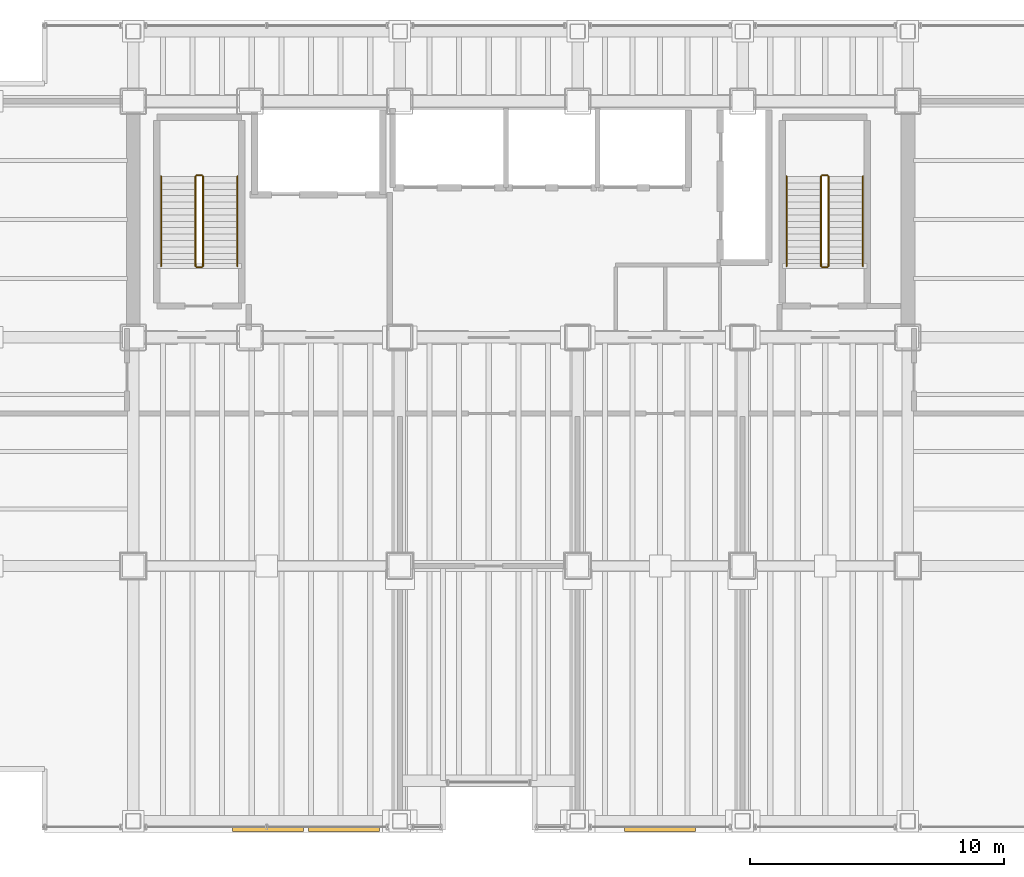
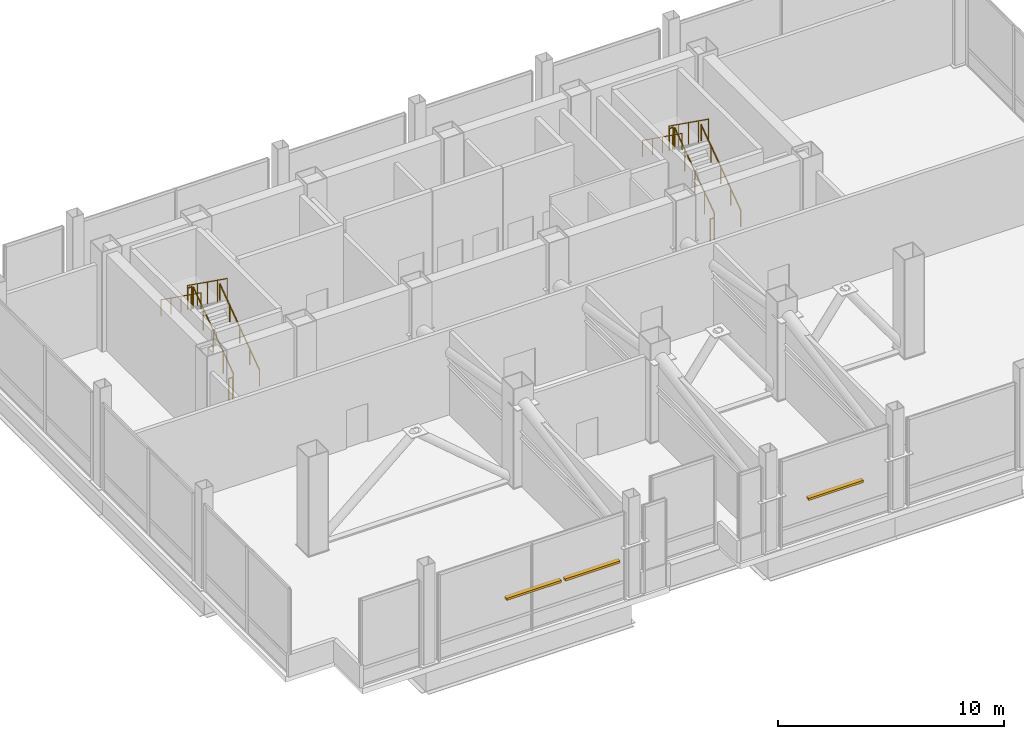
# One storey, part 20 of 20: 12 railings, 3 shading devices.
"""IFC4 building model written with IfcOpenShell, lengths in metres."""

from ifc_helpers import new_model, si_unit, direction, frame, origin, origin_2d, place, context, subcontext, project, spatial, rectangle, circle, extrude, material, layer, layer_set, type_object, element, save


model = new_model("IFC4")

# Units and contexts
model_context = context("Model", 3, precision=1e-05, world=origin(), true_north=direction((0.0, 1.0)))
body_context = subcontext(model_context, "Body", "Model", "MODEL_VIEW")
ifc_project = project(units=[si_unit("LENGTHUNIT", "METRE"), si_unit("AREAUNIT", "SQUARE_METRE"), si_unit("VOLUMEUNIT", "CUBIC_METRE"), si_unit("PLANEANGLEUNIT", "RADIAN"), si_unit("MASSUNIT", "GRAM", prefix="KILO")], contexts=[model_context])

# Site, building, storey
site_placement = place(None, origin())
site = spatial("IfcSite", under=ifc_project, at=site_placement, CompositionType="ELEMENT")
building_placement = place(site_placement, origin())
building = spatial("IfcBuilding", under=site, at=building_placement, Name="Noeulbin Bourse Tower", CompositionType="ELEMENT")
storey_placement = place(building_placement, frame((0.0, 0.0, 100.60009765625)))
storey = spatial("IfcBuildingStorey", under=building, at=storey_placement, Name="L25", CompositionType="ELEMENT", Elevation=100.60009765625)

# Railings
ifc_material_1 = material(Name="Painted Tubular Steel S355", Category="steel")
ifc_layer_1 = layer(ifc_material_1, 0.048095703125)
ifc_layer_set_1 = layer_set([ifc_layer_1], Name="Painted Tubular Steel S355")
railing_type_1 = type_object("IfcRailingType", Name="RLG-STR-GRD", PredefinedType="GUARDRAIL", material=ifc_layer_set_1)
railing_1_placement = place(storey_placement, frame((16.25, 31.81005859375, 0.179931640625)))
element("IfcRailing", 1, at=railing_1_placement, inside=storey, type_object=railing_type_1, Name="L25 ST-1 stair guard 1", PredefinedType="GUARDRAIL", context=body_context, shape_type="SweptSolid", body=[
    extrude(circle(Radius=0.02392578125, at=origin_2d()), frame((0.0, 0.0, 1.17578125), z_axis=(0.0, 0.813718251284, 0.581259501021), x_axis=(-1.0, 0.0, 0.0)), (0.0, 0.0, 1.0), 4.33544921875),
    extrude(circle(Radius=0.02099609375, at=origin_2d()), origin(), (0.0, 0.0, 1.0), 1.15185546875),
    extrude(circle(Radius=0.02099609375, at=origin_2d()), frame((0.0, 0.8818359375, 0.6298828125)), (0.0, 0.0, 1.0), 1.15185546875),
    extrude(circle(Radius=0.02099609375, at=origin_2d()), frame((0.0, 1.763916015625, 1.260009765625)), (0.0, 0.0, 1.0), 1.15185546875),
    extrude(circle(Radius=0.02099609375, at=origin_2d()), frame((0.0, 2.64599609375, 1.89013671875)), (0.0, 0.0, 1.0), 1.15185546875),
    extrude(circle(Radius=0.02099609375, at=origin_2d()), frame((0.0, 3.52783203125, 2.52001953125)), (0.0, 0.0, 1.0), 1.15185546875),
])
railing_2_placement = place(storey_placement, frame((16.199951171875, 35.387939453125, 2.699951171875)))
element("IfcRailing", 2, at=railing_2_placement, inside=storey, type_object=railing_type_1, Name="L25 ST-1 stair guard 2", PredefinedType="GUARDRAIL", context=body_context, shape_type="SweptSolid", body=[
    extrude(circle(Radius=0.02392578125, at=origin_2d()), frame((0.0, 0.0, 1.17578125), z_axis=(-1.0, 0.0, 0.0), x_axis=(0.0, -1.0, 0.0)), (0.0, 0.0, 1.0), 0.199951171875),
    extrude(circle(Radius=0.02099609375, at=origin_2d()), origin(), (0.0, 0.0, 1.0), 1.15185546875),
    extrude(circle(Radius=0.02099609375, at=origin_2d()), frame((-0.199951171875, 0.0, 0.0)), (0.0, 0.0, 1.0), 1.15185546875),
])
railing_3_placement = place(storey_placement, frame((15.949951171875, 35.337890625, 2.8798828125)))
element("IfcRailing", 3, at=railing_3_placement, inside=storey, type_object=railing_type_1, Name="L25 ST-1 stair guard 3", PredefinedType="GUARDRAIL", context=body_context, shape_type="SweptSolid", body=[
    extrude(circle(Radius=0.02392578125, at=origin_2d()), frame((0.0, 0.0, 1.17578125), z_axis=(0.0, -0.813718251284, 0.581259501021), x_axis=(1.0, 0.0, 0.0)), (0.0, 0.0, 1.0), 4.33544921875),
    extrude(circle(Radius=0.02099609375, at=origin_2d()), origin(), (0.0, 0.0, 1.0), 1.15185546875),
    extrude(circle(Radius=0.02099609375, at=origin_2d()), frame((0.0, -0.8818359375, 0.6298828125)), (0.0, 0.0, 1.0), 1.15185546875),
    extrude(circle(Radius=0.02099609375, at=origin_2d()), frame((0.0, -1.763916015625, 1.260009765625)), (0.0, 0.0, 1.0), 1.15185546875),
    extrude(circle(Radius=0.02099609375, at=origin_2d()), frame((0.0, -2.64599609375, 1.89013671875)), (0.0, 0.0, 1.0), 1.15185546875),
    extrude(circle(Radius=0.02099609375, at=origin_2d()), frame((0.0, -3.52783203125, 2.52001953125)), (0.0, 0.0, 1.0), 1.15185546875),
])
railing_4_placement = place(storey_placement, frame((16.199951171875, 31.760009765625, 0.0)))
element("IfcRailing", 4, at=railing_4_placement, inside=storey, type_object=railing_type_1, Name="L25 ST-1 stair guard 4", PredefinedType="GUARDRAIL", context=body_context, shape_type="SweptSolid", body=[
    extrude(circle(Radius=0.02392578125, at=origin_2d()), frame((0.0, 0.0, 1.17578125), z_axis=(-1.0, 0.0, 0.0), x_axis=(0.0, -1.0, 0.0)), (0.0, 0.0, 1.0), 0.199951171875),
    extrude(circle(Radius=0.02099609375, at=origin_2d()), origin(), (0.0, 0.0, 1.0), 1.15185546875),
    extrude(circle(Radius=0.02099609375, at=origin_2d()), frame((-0.199951171875, 0.0, 0.0)), (0.0, 0.0, 1.0), 1.15185546875),
])
railing_5_placement = place(storey_placement, frame((40.8798828125, 31.81005859375, 0.179931640625)))
element("IfcRailing", 5, at=railing_5_placement, inside=storey, type_object=railing_type_1, Name="L25 ST-2 stair guard 1", PredefinedType="GUARDRAIL", context=body_context, shape_type="SweptSolid", body=[
    extrude(circle(Radius=0.02392578125, at=origin_2d()), frame((0.0, 0.0, 1.17578125), z_axis=(0.0, 0.813718251284, 0.581259501021), x_axis=(-1.0, 0.0, 0.0)), (0.0, 0.0, 1.0), 4.33544921875),
    extrude(circle(Radius=0.02099609375, at=origin_2d()), origin(), (0.0, 0.0, 1.0), 1.15185546875),
    extrude(circle(Radius=0.02099609375, at=origin_2d()), frame((0.0, 0.8818359375, 0.6298828125)), (0.0, 0.0, 1.0), 1.15185546875),
    extrude(circle(Radius=0.02099609375, at=origin_2d()), frame((0.0, 1.763916015625, 1.260009765625)), (0.0, 0.0, 1.0), 1.15185546875),
    extrude(circle(Radius=0.02099609375, at=origin_2d()), frame((0.0, 2.64599609375, 1.89013671875)), (0.0, 0.0, 1.0), 1.15185546875),
    extrude(circle(Radius=0.02099609375, at=origin_2d()), frame((0.0, 3.52783203125, 2.52001953125)), (0.0, 0.0, 1.0), 1.15185546875),
])
railing_6_placement = place(storey_placement, frame((40.830078125, 35.387939453125, 2.699951171875)))
element("IfcRailing", 6, at=railing_6_placement, inside=storey, type_object=railing_type_1, Name="L25 ST-2 stair guard 2", PredefinedType="GUARDRAIL", context=body_context, shape_type="SweptSolid", body=[
    extrude(circle(Radius=0.02392578125, at=origin_2d()), frame((0.0, 0.0, 1.17578125), z_axis=(-1.0, 0.0, 0.0), x_axis=(0.0, -1.0, 0.0)), (0.0, 0.0, 1.0), 0.2001953125),
    extrude(circle(Radius=0.02099609375, at=origin_2d()), origin(), (0.0, 0.0, 1.0), 1.15185546875),
    extrude(circle(Radius=0.02099609375, at=origin_2d()), frame((-0.2001953125, 0.0, 0.0)), (0.0, 0.0, 1.0), 1.15185546875),
])
railing_7_placement = place(storey_placement, frame((40.580078125, 35.337890625, 2.8798828125)))
element("IfcRailing", 7, at=railing_7_placement, inside=storey, type_object=railing_type_1, Name="L25 ST-2 stair guard 3", PredefinedType="GUARDRAIL", context=body_context, shape_type="SweptSolid", body=[
    extrude(circle(Radius=0.02392578125, at=origin_2d()), frame((0.0, 0.0, 1.17578125), z_axis=(0.0, -0.813718251284, 0.581259501021), x_axis=(1.0, 0.0, 0.0)), (0.0, 0.0, 1.0), 4.33544921875),
    extrude(circle(Radius=0.02099609375, at=origin_2d()), origin(), (0.0, 0.0, 1.0), 1.15185546875),
    extrude(circle(Radius=0.02099609375, at=origin_2d()), frame((0.0, -0.8818359375, 0.6298828125)), (0.0, 0.0, 1.0), 1.15185546875),
    extrude(circle(Radius=0.02099609375, at=origin_2d()), frame((0.0, -1.763916015625, 1.260009765625)), (0.0, 0.0, 1.0), 1.15185546875),
    extrude(circle(Radius=0.02099609375, at=origin_2d()), frame((0.0, -2.64599609375, 1.89013671875)), (0.0, 0.0, 1.0), 1.15185546875),
    extrude(circle(Radius=0.02099609375, at=origin_2d()), frame((0.0, -3.52783203125, 2.52001953125)), (0.0, 0.0, 1.0), 1.15185546875),
])
railing_8_placement = place(storey_placement, frame((40.830078125, 31.760009765625, 0.0)))
element("IfcRailing", 8, at=railing_8_placement, inside=storey, type_object=railing_type_1, Name="L25 ST-2 stair guard 4", PredefinedType="GUARDRAIL", context=body_context, shape_type="SweptSolid", body=[
    extrude(circle(Radius=0.02392578125, at=origin_2d()), frame((0.0, 0.0, 1.17578125), z_axis=(-1.0, 0.0, 0.0), x_axis=(0.0, -1.0, 0.0)), (0.0, 0.0, 1.0), 0.2001953125),
    extrude(circle(Radius=0.02099609375, at=origin_2d()), origin(), (0.0, 0.0, 1.0), 1.15185546875),
    extrude(circle(Radius=0.02099609375, at=origin_2d()), frame((-0.2001953125, 0.0, 0.0)), (0.0, 0.0, 1.0), 1.15185546875),
])
ifc_material_2 = material(Name="Brushed Stainless Steel 316", Category="steel")
ifc_layer_2 = layer(ifc_material_2, 0.048095703125)
ifc_layer_set_2 = layer_set([ifc_layer_2], Name="Brushed Stainless Steel 316")
railing_type_2 = type_object("IfcRailingType", Name="RLG-STR-HND", PredefinedType="HANDRAIL", material=ifc_layer_set_2)
railing_9_placement = place(storey_placement, frame((17.60009765625, 31.81005859375, 0.179931640625)))
element("IfcRailing", 9, at=railing_9_placement, inside=storey, type_object=railing_type_2, Name="L25 ST-1 stair handrail 1", PredefinedType="HANDRAIL", context=body_context, shape_type="SweptSolid", body=[
    extrude(circle(Radius=0.02392578125, at=origin_2d()), frame((0.0, 0.0, 0.8759765625), z_axis=(0.0, 0.813718251284, 0.581259501021), x_axis=(-1.0, 0.0, 0.0)), (0.0, 0.0, 1.0), 4.33544921875),
    extrude(circle(Radius=0.02099609375, at=origin_2d()), origin(), (0.0, 0.0, 1.0), 0.851806640625),
    extrude(circle(Radius=0.02099609375, at=origin_2d()), frame((0.0, 0.8818359375, 0.6298828125)), (0.0, 0.0, 1.0), 0.851806640625),
    extrude(circle(Radius=0.02099609375, at=origin_2d()), frame((0.0, 1.763916015625, 1.260009765625)), (0.0, 0.0, 1.0), 0.851806640625),
    extrude(circle(Radius=0.02099609375, at=origin_2d()), frame((0.0, 2.64599609375, 1.89013671875)), (0.0, 0.0, 1.0), 0.851806640625),
    extrude(circle(Radius=0.02099609375, at=origin_2d()), frame((0.0, 3.52783203125, 2.52001953125)), (0.0, 0.0, 1.0), 0.851806640625),
])
railing_10_placement = place(storey_placement, frame((14.60009765625, 35.337890625, 2.8798828125)))
element("IfcRailing", 10, at=railing_10_placement, inside=storey, type_object=railing_type_2, Name="L25 ST-1 stair handrail 2", PredefinedType="HANDRAIL", context=body_context, shape_type="SweptSolid", body=[
    extrude(circle(Radius=0.02392578125, at=origin_2d()), frame((0.0, 0.0, 0.8759765625), z_axis=(0.0, -0.813718251284, 0.581259501021), x_axis=(1.0, 0.0, 0.0)), (0.0, 0.0, 1.0), 4.33544921875),
    extrude(circle(Radius=0.02099609375, at=origin_2d()), origin(), (0.0, 0.0, 1.0), 0.851806640625),
    extrude(circle(Radius=0.02099609375, at=origin_2d()), frame((0.0, -0.8818359375, 0.6298828125)), (0.0, 0.0, 1.0), 0.851806640625),
    extrude(circle(Radius=0.02099609375, at=origin_2d()), frame((0.0, -1.763916015625, 1.260009765625)), (0.0, 0.0, 1.0), 0.851806640625),
    extrude(circle(Radius=0.02099609375, at=origin_2d()), frame((0.0, -2.64599609375, 1.89013671875)), (0.0, 0.0, 1.0), 0.851806640625),
    extrude(circle(Radius=0.02099609375, at=origin_2d()), frame((0.0, -3.52783203125, 2.52001953125)), (0.0, 0.0, 1.0), 0.851806640625),
])
railing_11_placement = place(storey_placement, frame((42.22998046875, 31.81005859375, 0.179931640625)))
element("IfcRailing", 11, at=railing_11_placement, inside=storey, type_object=railing_type_2, Name="L25 ST-2 stair handrail 1", PredefinedType="HANDRAIL", context=body_context, shape_type="SweptSolid", body=[
    extrude(circle(Radius=0.02392578125, at=origin_2d()), frame((0.0, 0.0, 0.8759765625), z_axis=(0.0, 0.813718251284, 0.581259501021), x_axis=(-1.0, 0.0, 0.0)), (0.0, 0.0, 1.0), 4.33544921875),
    extrude(circle(Radius=0.02099609375, at=origin_2d()), origin(), (0.0, 0.0, 1.0), 0.851806640625),
    extrude(circle(Radius=0.02099609375, at=origin_2d()), frame((0.0, 0.8818359375, 0.6298828125)), (0.0, 0.0, 1.0), 0.851806640625),
    extrude(circle(Radius=0.02099609375, at=origin_2d()), frame((0.0, 1.763916015625, 1.260009765625)), (0.0, 0.0, 1.0), 0.851806640625),
    extrude(circle(Radius=0.02099609375, at=origin_2d()), frame((0.0, 2.64599609375, 1.89013671875)), (0.0, 0.0, 1.0), 0.851806640625),
    extrude(circle(Radius=0.02099609375, at=origin_2d()), frame((0.0, 3.52783203125, 2.52001953125)), (0.0, 0.0, 1.0), 0.851806640625),
])
railing_12_placement = place(storey_placement, frame((39.22998046875, 35.337890625, 2.8798828125)))
element("IfcRailing", 12, at=railing_12_placement, inside=storey, type_object=railing_type_2, Name="L25 ST-2 stair handrail 2", PredefinedType="HANDRAIL", context=body_context, shape_type="SweptSolid", body=[
    extrude(circle(Radius=0.02392578125, at=origin_2d()), frame((0.0, 0.0, 0.8759765625), z_axis=(0.0, -0.813718251284, 0.581259501021), x_axis=(1.0, 0.0, 0.0)), (0.0, 0.0, 1.0), 4.33544921875),
    extrude(circle(Radius=0.02099609375, at=origin_2d()), origin(), (0.0, 0.0, 1.0), 0.851806640625),
    extrude(circle(Radius=0.02099609375, at=origin_2d()), frame((0.0, -0.8818359375, 0.6298828125)), (0.0, 0.0, 1.0), 0.851806640625),
    extrude(circle(Radius=0.02099609375, at=origin_2d()), frame((0.0, -1.763916015625, 1.260009765625)), (0.0, 0.0, 1.0), 0.851806640625),
    extrude(circle(Radius=0.02099609375, at=origin_2d()), frame((0.0, -2.64599609375, 1.89013671875)), (0.0, 0.0, 1.0), 0.851806640625),
    extrude(circle(Radius=0.02099609375, at=origin_2d()), frame((0.0, -3.52783203125, 2.52001953125)), (0.0, 0.0, 1.0), 0.851806640625),
])

# Shading devices
ifc_material_3 = material(Name="Fluoropolymer Coated Aluminium 6063-T6", Category="aluminium")
ifc_layer_3 = layer(ifc_material_3, 0.1201171875)
ifc_layer_set_3 = layer_set([ifc_layer_3], Name="Fluoropolymer Coated Aluminium 6063-T6")
shading_device_type = type_object("IfcShadingDeviceType", Name="SHD-LVR-300", PredefinedType="USERDEFINED", material=ifc_layer_set_3)
for number, where, z_axis, x_axis, name in (
    (13, (18.800048828125, 9.659912109375, 2.139892578125), (0.0, 0.0, 1.0), (1.0, 0.0, 0.0), "Intake Weather Louvre LV-L25-1"),
    (14, (21.800048828125, 9.659912109375, 2.139892578125), (0.0, 0.0, 1.0), (1.0, 0.0, 0.0), "Intake Weather Louvre LV-L25-2"),
    (15, (34.25, 9.659912109375, 2.139892578125), (0.0, 0.0, 1.0), (1.0, 0.0, 0.0), "Intake Weather Louvre LV-L25-3"),
):
    element("IfcShadingDevice", number, at=place(storey_placement, frame(where, z_axis=z_axis, x_axis=x_axis)), inside=storey, type_object=shading_device_type, Name=name, ObjectType="LOUVRE", PredefinedType="USERDEFINED", context=body_context, shape_type="SweptSolid", body=[
        extrude(rectangle(XDim=2.800048828125, YDim=0.219970703125, at=origin_2d()), origin(), (0.0, 0.0, 1.0), 0.1201171875),
    ])

save(model, "model.ifc")
